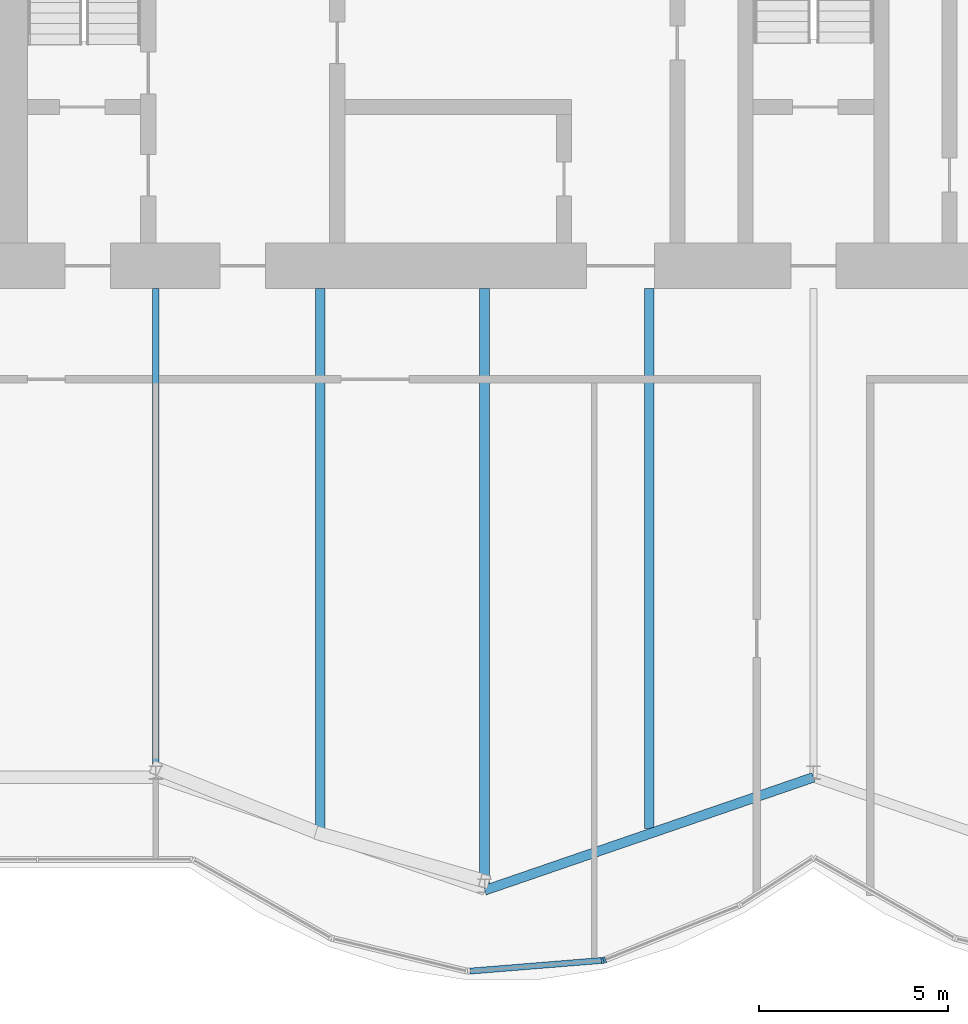
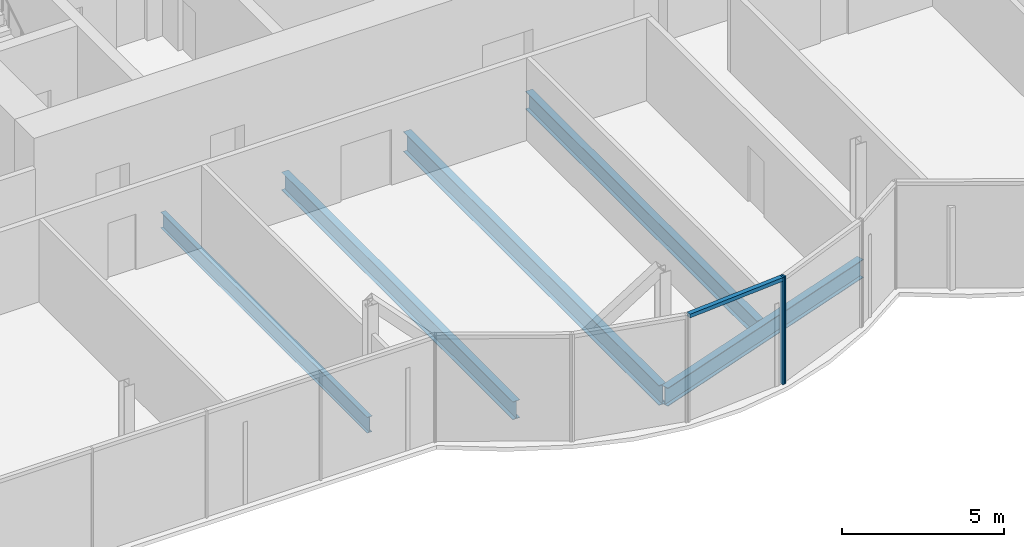
# One storey, part 6 of 19: 5 beams, 3 members, 1 element without a shape of its own.
"""IFC4 building model written with IfcOpenShell, lengths in metres."""

from ifc_helpers import new_model, si_unit, direction, frame, origin, origin_2d, place, context, subcontext, project, spatial, rectangle, i_section, extrude, material, material_profile, profile_set, type_object, element, aggregate, save


model = new_model("IFC4")

# Units and contexts
model_context = context("Model", 3, precision=1e-05, world=origin(), true_north=direction((0.0, 1.0)))
body_context = subcontext(model_context, "Body", "Model", "MODEL_VIEW")
ifc_project = project(units=[si_unit("LENGTHUNIT", "METRE"), si_unit("AREAUNIT", "SQUARE_METRE"), si_unit("VOLUMEUNIT", "CUBIC_METRE"), si_unit("PLANEANGLEUNIT", "RADIAN"), si_unit("MASSUNIT", "GRAM", prefix="KILO")], contexts=[model_context])

# Site, building, storey
site_placement = place(None, origin())
site = spatial("IfcSite", under=ifc_project, at=site_placement, CompositionType="ELEMENT")
building_placement = place(site_placement, origin())
building = spatial("IfcBuilding", under=site, at=building_placement, Name="Bicima Exchange Tower", CompositionType="ELEMENT")
storey_placement = place(building_placement, frame((0.0, 0.0, 275.0)))
storey = spatial("IfcBuildingStorey", under=building, at=storey_placement, Name="L62", CompositionType="ELEMENT", Elevation=275.0)

# Beams
ifc_material_1 = material(Name="Steel ASTM A992 Gr 50", Category="steel")
ifc_material_profile_1 = material_profile(ifc_material_1, i_section(OverallWidth=0.177978515625, OverallDepth=0.599365234375, WebThickness=0.010009765625, FlangeThickness=0.012939453125, at=origin_2d()))
ifc_profile_set_1 = profile_set([ifc_material_profile_1], Name="Steel ASTM A992 Gr 50")
beam_type_1 = type_object("IfcBeamType", Name="Floor beam W24x55", PredefinedType="JOIST", material=ifc_profile_set_1)
beam_1_placement = place(storey_placement, frame((-17.39990234375, -13.0, -0.44970703125), z_axis=(0.0, -1.0, 0.0), x_axis=(1.0, 0.0, 0.0)))
element("IfcBeam", 1, at=beam_1_placement, inside=storey, type_object=beam_type_1, Name="Floor beam", PredefinedType="JOIST", context=body_context, shape_type="SweptSolid", body=[
    extrude(i_section(OverallWidth=0.177978515625, OverallDepth=0.599365234375, WebThickness=0.010009765625, FlangeThickness=0.012939453125, at=origin_2d()), origin(), (0.0, 0.0, 1.0), 12.7734375),
])
ifc_material_profile_2 = material_profile(ifc_material_1, i_section(OverallWidth=0.25390625, OverallDepth=0.67822265625, WebThickness=0.01171875, FlangeThickness=0.016357421875, at=origin_2d()))
ifc_profile_set_2 = profile_set([ifc_material_profile_2], Name="Steel ASTM A992 Gr 50")
beam_type_2 = type_object("IfcBeamType", Name="Floor beam W27x84", PredefinedType="JOIST", material=ifc_profile_set_2)
for number, where, z_axis, x_axis, name in (
    (2, (-13.050048828125, -13.0, -0.489013671875), (0.0, -1.0, 0.0), (1.0, 0.0, 0.0), "Floor beam"),
    (3, (-4.35009765625, -13.0, -0.489013671875), (0.0, -1.0, 0.0), (1.0, 0.0, 0.0), "Floor beam"),
):
    element("IfcBeam", number, at=place(storey_placement, frame(where, z_axis=z_axis, x_axis=x_axis)), inside=storey, type_object=beam_type_2, Name=name, PredefinedType="JOIST", context=body_context, shape_type="SweptSolid", body=[
        extrude(i_section(OverallWidth=0.25390625, OverallDepth=0.67822265625, WebThickness=0.01171875, FlangeThickness=0.016357421875, at=origin_2d()), origin(), (0.0, 0.0, 1.0), 14.2958984375),
    ])
ifc_material_profile_3 = material_profile(ifc_material_1, i_section(OverallWidth=0.2666015625, OverallDepth=0.75439453125, WebThickness=0.01318359375, FlangeThickness=0.01708984375, at=origin_2d()))
ifc_profile_set_3 = profile_set([ifc_material_profile_3], Name="Steel ASTM A992 Gr 50")
beam_type_3 = type_object("IfcBeamType", Name="Floor beam W30x99", PredefinedType="JOIST", material=ifc_profile_set_3)
beam_2_placement = place(storey_placement, frame((-8.699951171875, -13.0, -0.527099609375), z_axis=(0.0, -1.0, 0.0), x_axis=(1.0, 0.0, 0.0)))
element("IfcBeam", 4, at=beam_2_placement, inside=storey, type_object=beam_type_3, Name="Floor beam", PredefinedType="JOIST", context=body_context, shape_type="SweptSolid", body=[
    extrude(i_section(OverallWidth=0.2666015625, OverallDepth=0.75439453125, WebThickness=0.01318359375, FlangeThickness=0.01708984375, at=origin_2d()), origin(), (0.0, 0.0, 1.0), 15.79150390625),
])
ifc_material_profile_4 = material_profile(ifc_material_1, i_section(OverallWidth=0.256591796875, OverallDepth=0.693359375, WebThickness=0.014404296875, FlangeThickness=0.023681640625, at=origin_2d()))
ifc_profile_set_4 = profile_set([ifc_material_profile_4], Name="Steel ASTM A992 Gr 50")
beam_type_4 = type_object("IfcBeamType", Name="Front girder W27x114", PredefinedType="BEAM", material=ifc_profile_set_4)
beam_3_placement = place(storey_placement, frame((-8.699951171875, -28.927001953125, -0.49658203125), z_axis=(0.945674616091, 0.32511462668, 0.0), x_axis=(-0.32511462668, 0.945674616091, 0.0)))
element("IfcBeam", 5, at=beam_3_placement, inside=storey, type_object=beam_type_4, Name="Front girder", PredefinedType="BEAM", context=body_context, shape_type="SweptSolid", body=[
    extrude(i_section(OverallWidth=0.256591796875, OverallDepth=0.693359375, WebThickness=0.014404296875, FlangeThickness=0.023681640625, at=origin_2d()), origin(), (0.0, 0.0, 1.0), 9.19970703125),
])

# Curtain wall, members
ifc_material_2 = material(Name="Anodised bronze aluminium", Category="aluminium")
curtain_wall_type = type_object("IfcCurtainWallType", Name="Front glass wall", PredefinedType="NOTDEFINED", material=ifc_material_2)
curtain_wall_placement = place(storey_placement, origin())
curtain_wall = element("IfcCurtainWall", 6, at=curtain_wall_placement, inside=storey, type_object=curtain_wall_type, Name="Front glass wall L62 run 6", PredefinedType="NOTDEFINED")
ifc_material_profile_5 = material_profile(ifc_material_2, rectangle(XDim=0.159912109375, YDim=0.06005859375, at=origin_2d()))
ifc_profile_set_5 = profile_set([ifc_material_profile_5], Name="Anodised bronze aluminium")
member_type_1 = type_object("IfcMemberType", Name="Front glass wall mullion 60 x 160", PredefinedType="MULLION", material=ifc_profile_set_5)
member_1_placement = place(storey_placement, frame((-5.583984375, -30.78076171875, 0.0), z_axis=(0.0, 0.0, 1.0), x_axis=(-0.080588612633, 0.99674744821, 0.0)))
member_1 = element("IfcMember", 7, at=member_1_placement, type_object=member_type_1, Name="Front glass wall mullion 2", PredefinedType="MULLION", context=body_context, shape_type="SweptSolid", body=[
    extrude(rectangle(XDim=0.159912109375, YDim=0.06005859375, at=origin_2d()), origin(), (0.0, 0.0, 1.0), 4.050048828125),
])
member_2_placement = place(storey_placement, frame((-5.526123046875, -30.76708984375, 0.0), z_axis=(0.0, 0.0, 1.0), x_axis=(-0.374705304, 0.92714396679, 0.0)))
member_2 = element("IfcMember", 8, at=member_2_placement, type_object=member_type_1, Name="Front glass wall mullion 1", PredefinedType="MULLION", context=body_context, shape_type="SweptSolid", body=[
    extrude(rectangle(XDim=0.159912109375, YDim=0.06005859375, at=origin_2d()), origin(), (0.0, 0.0, 1.0), 4.050048828125),
])
ifc_material_profile_6 = material_profile(ifc_material_2, rectangle(XDim=0.159912109375, YDim=0.139892578125, at=origin_2d()))
ifc_profile_set_6 = profile_set([ifc_material_profile_6], Name="Anodised bronze aluminium")
member_type_2 = type_object("IfcMemberType", Name="Front glass wall transom 140 x 160", PredefinedType="USERDEFINED", material=ifc_profile_set_6)
member_3_placement = place(storey_placement, frame((-9.08837890625, -31.064208984375, 3.97998046875), z_axis=(0.9967456465, 0.080610893699, 0.0), x_axis=(-0.080610893699, 0.9967456465, 0.0)))
member_3 = element("IfcMember", 9, at=member_3_placement, type_object=member_type_2, Name="Front glass wall transom 1.1", ObjectType="TRANSOM", PredefinedType="USERDEFINED", context=body_context, shape_type="SweptSolid", body=[
    extrude(rectangle(XDim=0.159912109375, YDim=0.139892578125, at=origin_2d()), origin(), (0.0, 0.0, 1.0), 3.48583984375),
])
aggregate(curtain_wall, [member_1, member_3, member_2])

save(model, "model.ifc")
